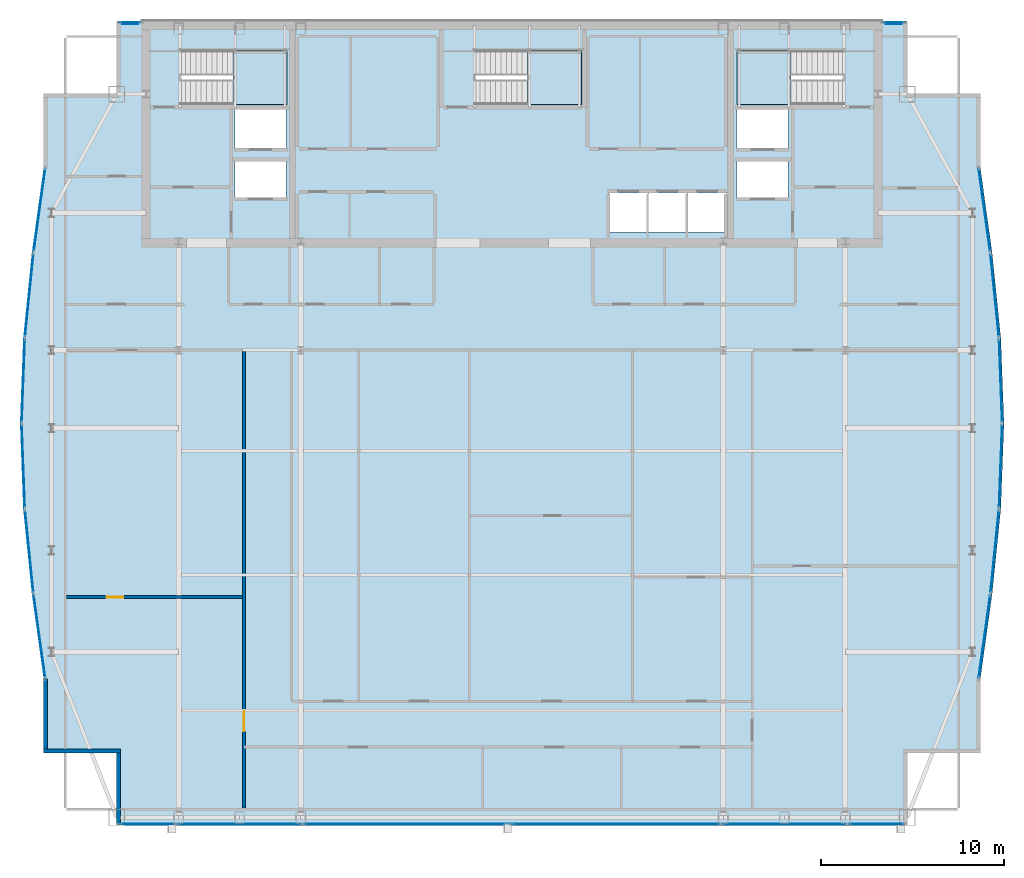
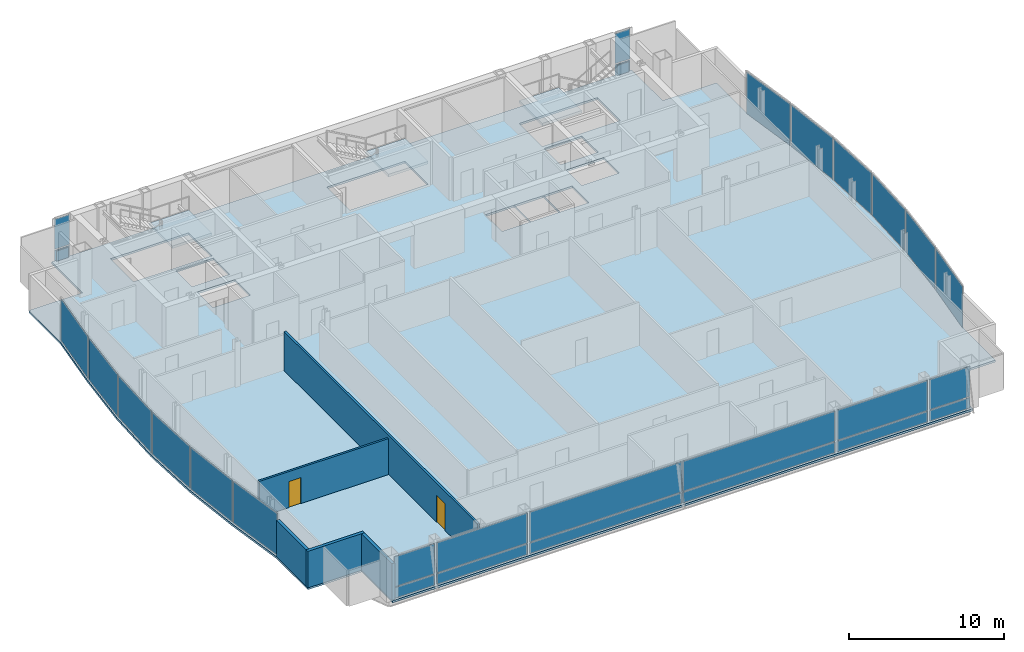
# One storey, part 20 of 26: 30 plates, 5 walls, 4 slabs, 2 doors, 2 openings, 22 elements without a shape of their own.
"""IFC4 building model written with IfcOpenShell, lengths in metres."""

from ifc_helpers import new_model, si_unit, direction, frame, frame_2d, origin, origin_2d, place, context, subcontext, project, spatial, polyline, rectangle, outline, extrude, material, layer, layer_set, type_object, element, fill, aggregate, save


model = new_model("IFC4")

# Units and contexts
model_context = context("Model", 3, precision=1e-05, world=origin(), true_north=direction((0.0, 1.0)))
body_context = subcontext(model_context, "Body", "Model", "MODEL_VIEW")
ifc_project = project(units=[si_unit("LENGTHUNIT", "METRE"), si_unit("AREAUNIT", "SQUARE_METRE"), si_unit("VOLUMEUNIT", "CUBIC_METRE"), si_unit("PLANEANGLEUNIT", "RADIAN"), si_unit("MASSUNIT", "GRAM", prefix="KILO")], contexts=[model_context])

# Site, building, storey
site_placement = place(None, origin())
site = spatial("IfcSite", under=ifc_project, at=site_placement, CompositionType="ELEMENT")
building_placement = place(site_placement, origin())
building = spatial("IfcBuilding", under=site, at=building_placement, Name="Khoronbel Lancet Exchange", CompositionType="ELEMENT")
storey_placement = place(building_placement, frame((0.0, 0.0, 339.800048828125)))
storey = spatial("IfcBuildingStorey", under=building, at=storey_placement, Name="L88", CompositionType="ELEMENT", Elevation=339.800048828125)

# Curtain wall, plate
ifc_material_1 = material(Name="Low-E Solar Control Insulating Glass", Category="glass")
curtain_wall_type_1 = type_object("IfcCurtainWallType", Name="CW-4", PredefinedType="NOTDEFINED", material=ifc_material_1)
curtain_wall_1_placement = place(storey_placement, origin())
curtain_wall_1 = element("IfcCurtainWall", 1, at=curtain_wall_1_placement, inside=storey, type_object=curtain_wall_type_1, Name="Unitised curtain wall CW-L88-E05", PredefinedType="NOTDEFINED")
ifc_material_2 = material(Name="Bronze-Anodised Aluminium 6063-T6", Category="aluminium")
ifc_layer_1 = layer(ifc_material_2, 0.050048828125, Name="Bronze-Anodised Aluminium 6063-T6")
ifc_layer_set_1 = layer_set([ifc_layer_1], Name="Bronze-Anodised Aluminium 6063-T6")
plate_type_1 = type_object("IfcPlateType", Name="PLT-CSP1", PredefinedType="SHEET", material=ifc_layer_set_1)
plate_1_placement = place(storey_placement, frame((10.05322265625, 24.70849609375, 0.0849609375), z_axis=(0.0, 0.0, 1.0), x_axis=(-0.101278350024, 0.994858128487, 0.0)))
plate_1 = element("IfcPlate", 2, at=plate_1_placement, type_object=plate_type_1, Name="CW4 panel 1.1", PredefinedType="CURTAIN_PANEL", context=body_context, shape_type="SweptSolid", body=[
    extrude(rectangle(XDim=4.5361328125, YDim=0.0380859375, at=origin_2d()), origin(), (0.0, 0.0, 1.0), 3.27001953125),
])
aggregate(curtain_wall_1, [plate_1])

curtain_wall_2_placement = place(storey_placement, origin())
curtain_wall_2 = element("IfcCurtainWall", 3, at=curtain_wall_2_placement, inside=storey, type_object=curtain_wall_type_1, Name="Unitised curtain wall CW-L88-E06", PredefinedType="NOTDEFINED")
plate_2_placement = place(storey_placement, frame((9.729248046875, 29.36962890625, 0.0849609375), z_axis=(0.0, 0.0, 1.0), x_axis=(-0.037201994942, 0.999307766192, 0.0)))
plate_2 = element("IfcPlate", 4, at=plate_2_placement, type_object=plate_type_1, Name="CW4 panel 1.1", PredefinedType="CURTAIN_PANEL", context=body_context, shape_type="SweptSolid", body=[
    extrude(rectangle(XDim=4.513671875, YDim=0.0380859375, at=origin_2d()), origin(), (0.0, 0.0, 1.0), 3.27001953125),
])
aggregate(curtain_wall_2, [plate_2])

curtain_wall_3_placement = place(storey_placement, origin())
curtain_wall_3 = element("IfcCurtainWall", 5, at=curtain_wall_3_placement, inside=storey, type_object=curtain_wall_type_1, Name="Unitised curtain wall CW-L88-E07", PredefinedType="NOTDEFINED")
plate_3_placement = place(storey_placement, frame((9.729248046875, 34.0302734375, 0.0849609375), z_axis=(0.0, 0.0, 1.0), x_axis=(0.037201994942, 0.999307766192, 0.0)))
plate_3 = element("IfcPlate", 6, at=plate_3_placement, type_object=plate_type_1, Name="CW4 panel 1.1", PredefinedType="CURTAIN_PANEL", context=body_context, shape_type="SweptSolid", body=[
    extrude(rectangle(XDim=4.513671875, YDim=0.0380859375, at=origin_2d()), origin(), (0.0, 0.0, 1.0), 3.27001953125),
])
aggregate(curtain_wall_3, [plate_3])

curtain_wall_4_placement = place(storey_placement, origin())
curtain_wall_4 = element("IfcCurtainWall", 7, at=curtain_wall_4_placement, inside=storey, type_object=curtain_wall_type_1, Name="Unitised curtain wall CW-L88-E08", PredefinedType="NOTDEFINED")
plate_4_placement = place(storey_placement, frame((10.05322265625, 38.69140625, 0.0849609375), z_axis=(0.0, 0.0, 1.0), x_axis=(0.101278350024, 0.994858128487, 0.0)))
plate_4 = element("IfcPlate", 8, at=plate_4_placement, type_object=plate_type_1, Name="CW4 panel 1.1", PredefinedType="CURTAIN_PANEL", context=body_context, shape_type="SweptSolid", body=[
    extrude(rectangle(XDim=4.5361328125, YDim=0.0380859375, at=origin_2d()), origin(), (0.0, 0.0, 1.0), 3.27001953125),
])
aggregate(curtain_wall_4, [plate_4])

curtain_wall_type_2 = type_object("IfcCurtainWallType", Name="CW-3", PredefinedType="NOTDEFINED", material=ifc_material_1)
curtain_wall_5_placement = place(storey_placement, origin())
curtain_wall_5 = element("IfcCurtainWall", 9, at=curtain_wall_5_placement, inside=storey, type_object=curtain_wall_type_2, Name="Unitised curtain wall CW-L88-NWFLK", PredefinedType="NOTDEFINED")
plate_5_placement = place(storey_placement, frame((15.580078125, 53.550048828125, 0.0498046875), z_axis=(0.0, 0.0, 1.0), x_axis=(-1.0, 0.0, 0.0)))
plate_5 = element("IfcPlate", 10, at=plate_5_placement, type_object=plate_type_1, Name="Insulated bronze spandrel cassette CW-L88-NWFLK", PredefinedType="SHEET", context=body_context, shape_type="SweptSolid", body=[
    extrude(rectangle(XDim=0.89599609375, YDim=0.050048828125, at=origin_2d()), origin(), (0.0, 0.0, 1.0), 0.800048828125),
])

curtain_wall_6_placement = place(storey_placement, origin())
curtain_wall_6 = element("IfcCurtainWall", 11, at=curtain_wall_6_placement, inside=storey, type_object=curtain_wall_type_2, Name="Unitised curtain wall CW-L88-NEFLK", PredefinedType="NOTDEFINED")
plate_6_placement = place(storey_placement, frame((57.320068359375, 53.550048828125, 0.0498046875), z_axis=(0.0, 0.0, 1.0), x_axis=(-1.0, 0.0, 0.0)))
plate_6 = element("IfcPlate", 12, at=plate_6_placement, type_object=plate_type_1, Name="Insulated bronze spandrel cassette CW-L88-NEFLK", PredefinedType="SHEET", context=body_context, shape_type="SweptSolid", body=[
    extrude(rectangle(XDim=0.89599609375, YDim=0.050048828125, at=origin_2d()), origin(), (0.0, 0.0, 1.0), 0.800048828125),
])

curtain_wall_7_placement = place(storey_placement, origin())
curtain_wall_7 = element("IfcCurtainWall", 13, at=curtain_wall_7_placement, inside=storey, type_object=curtain_wall_type_1, Name="Unitised curtain wall CW-L88-E18", PredefinedType="NOTDEFINED")
plate_7_placement = place(storey_placement, frame((62.8466796875, 38.69140625, 0.0849609375), z_axis=(0.0, 0.0, 1.0), x_axis=(0.101278350024, -0.994858128487, 0.0)))
plate_7 = element("IfcPlate", 14, at=plate_7_placement, type_object=plate_type_1, Name="CW4 panel 1.1", PredefinedType="CURTAIN_PANEL", context=body_context, shape_type="SweptSolid", body=[
    extrude(rectangle(XDim=4.5361328125, YDim=0.0380859375, at=origin_2d()), origin(), (0.0, 0.0, 1.0), 3.27001953125),
])
aggregate(curtain_wall_7, [plate_7])

curtain_wall_8_placement = place(storey_placement, origin())
curtain_wall_8 = element("IfcCurtainWall", 15, at=curtain_wall_8_placement, inside=storey, type_object=curtain_wall_type_1, Name="Unitised curtain wall CW-L88-E19", PredefinedType="NOTDEFINED")
plate_8_placement = place(storey_placement, frame((63.170654296875, 34.0302734375, 0.0849609375), z_axis=(0.0, 0.0, 1.0), x_axis=(0.037201994942, -0.999307766192, 0.0)))
plate_8 = element("IfcPlate", 16, at=plate_8_placement, type_object=plate_type_1, Name="CW4 panel 1.1", PredefinedType="CURTAIN_PANEL", context=body_context, shape_type="SweptSolid", body=[
    extrude(rectangle(XDim=4.513671875, YDim=0.0380859375, at=origin_2d()), origin(), (0.0, 0.0, 1.0), 3.27001953125),
])
aggregate(curtain_wall_8, [plate_8])

curtain_wall_9_placement = place(storey_placement, origin())
curtain_wall_9 = element("IfcCurtainWall", 17, at=curtain_wall_9_placement, inside=storey, type_object=curtain_wall_type_1, Name="Unitised curtain wall CW-L88-E20", PredefinedType="NOTDEFINED")
plate_9_placement = place(storey_placement, frame((63.170654296875, 29.36962890625, 0.0849609375), z_axis=(0.0, 0.0, 1.0), x_axis=(-0.037201994942, -0.999307766192, 0.0)))
plate_9 = element("IfcPlate", 18, at=plate_9_placement, type_object=plate_type_1, Name="CW4 panel 1.1", PredefinedType="CURTAIN_PANEL", context=body_context, shape_type="SweptSolid", body=[
    extrude(rectangle(XDim=4.513671875, YDim=0.0380859375, at=origin_2d()), origin(), (0.0, 0.0, 1.0), 3.27001953125),
])
aggregate(curtain_wall_9, [plate_9])

curtain_wall_10_placement = place(storey_placement, origin())
curtain_wall_10 = element("IfcCurtainWall", 19, at=curtain_wall_10_placement, inside=storey, type_object=curtain_wall_type_1, Name="Unitised curtain wall CW-L88-E21", PredefinedType="NOTDEFINED")
plate_10_placement = place(storey_placement, frame((62.8466796875, 24.70849609375, 0.0849609375), z_axis=(0.0, 0.0, 1.0), x_axis=(-0.101278350024, -0.994858128487, 0.0)))
plate_10 = element("IfcPlate", 20, at=plate_10_placement, type_object=plate_type_1, Name="CW4 panel 1.1", PredefinedType="CURTAIN_PANEL", context=body_context, shape_type="SweptSolid", body=[
    extrude(rectangle(XDim=4.5361328125, YDim=0.0380859375, at=origin_2d()), origin(), (0.0, 0.0, 1.0), 3.27001953125),
])
aggregate(curtain_wall_10, [plate_10])

# Curtain wall, plates
curtain_wall_11_placement = place(storey_placement, origin())
curtain_wall_11 = element("IfcCurtainWall", 21, at=curtain_wall_11_placement, inside=storey, type_object=curtain_wall_type_2, Name="Unitised curtain wall CW-L88-SWB", PredefinedType="NOTDEFINED")
plate_11_placement = place(storey_placement, frame((21.550048828125, 9.7900390625, 0.0849609375), z_axis=(0.0, 0.0, 1.0), x_axis=(1.0, 0.0, 0.0)))
plate_11 = element("IfcPlate", 22, at=plate_11_placement, type_object=plate_type_1, Name="CW3 panel 1.1", PredefinedType="CURTAIN_PANEL", context=body_context, shape_type="SweptSolid", body=[
    extrude(rectangle(XDim=6.72998046875, YDim=0.0380859375, at=origin_2d()), origin(), (0.0, 0.0, 1.0), 0.822509765625),
])
plate_12_placement = place(storey_placement, frame((21.550048828125, 9.7900390625, 0.9921875), z_axis=(0.0, 0.0, 1.0), x_axis=(1.0, 0.0, 0.0)))
plate_12 = element("IfcPlate", 23, at=plate_12_placement, type_object=plate_type_1, Name="CW3 panel 1.2", PredefinedType="CURTAIN_PANEL", context=body_context, shape_type="SweptSolid", body=[
    extrude(rectangle(XDim=6.72998046875, YDim=0.0380859375, at=origin_2d()), origin(), (0.0, 0.0, 1.0), 2.362548828125),
])
aggregate(curtain_wall_11, [plate_11, plate_12])

curtain_wall_12_placement = place(storey_placement, origin())
curtain_wall_12 = element("IfcCurtainWall", 24, at=curtain_wall_12_placement, inside=storey, type_object=curtain_wall_type_2, Name="Unitised curtain wall CW-L88-SEB", PredefinedType="NOTDEFINED")
plate_13_placement = place(storey_placement, frame((51.35009765625, 9.7900390625, 0.0849609375), z_axis=(0.0, 0.0, 1.0), x_axis=(1.0, 0.0, 0.0)))
plate_13 = element("IfcPlate", 25, at=plate_13_placement, type_object=plate_type_1, Name="CW3 panel 1.1", PredefinedType="CURTAIN_PANEL", context=body_context, shape_type="SweptSolid", body=[
    extrude(rectangle(XDim=6.72998046875, YDim=0.0380859375, at=origin_2d()), origin(), (0.0, 0.0, 1.0), 0.822509765625),
])
plate_14_placement = place(storey_placement, frame((51.35009765625, 9.7900390625, 0.9921875), z_axis=(0.0, 0.0, 1.0), x_axis=(1.0, 0.0, 0.0)))
plate_14 = element("IfcPlate", 26, at=plate_14_placement, type_object=plate_type_1, Name="CW3 panel 1.2", PredefinedType="CURTAIN_PANEL", context=body_context, shape_type="SweptSolid", body=[
    extrude(rectangle(XDim=6.72998046875, YDim=0.0380859375, at=origin_2d()), origin(), (0.0, 0.0, 1.0), 2.362548828125),
])
aggregate(curtain_wall_12, [plate_13, plate_14])

# Plate
ifc_layer_2 = layer(ifc_material_1, 0.035888671875, Name="Low-E Solar Control Insulating Glass")
ifc_layer_set_2 = layer_set([ifc_layer_2], Name="Low-E Solar Control Insulating Glass")
plate_type_2 = type_object("IfcPlateType", Name="PLT-CWP1", PredefinedType="CURTAIN_PANEL", material=ifc_layer_set_2)
plate_15_placement = place(storey_placement, frame((15.580078125, 53.610107421875, 0.0849609375), z_axis=(0.0, 0.0, 1.0), x_axis=(-1.0, 0.0, 0.0)))
plate_15 = element("IfcPlate", 27, at=plate_15_placement, type_object=plate_type_2, Name="CW3 panel 1.1", PredefinedType="CURTAIN_PANEL", context=body_context, shape_type="SweptSolid", body=[
    extrude(rectangle(XDim=1.110107421875, YDim=0.0380859375, at=origin_2d()), origin(), (0.0, 0.0, 1.0), 0.822509765625),
])

plate_16_placement = place(storey_placement, frame((15.580078125, 53.610107421875, 0.9921875), z_axis=(0.0, 0.0, 1.0), x_axis=(-1.0, 0.0, 0.0)))
plate_16 = element("IfcPlate", 28, at=plate_16_placement, type_object=plate_type_2, Name="CW3 panel 1.2", PredefinedType="CURTAIN_PANEL", context=body_context, shape_type="SweptSolid", body=[
    extrude(rectangle(XDim=1.110107421875, YDim=0.0380859375, at=origin_2d()), origin(), (0.0, 0.0, 1.0), 2.362548828125),
])

aggregate(curtain_wall_5, [plate_15, plate_16, plate_5])

plate_17_placement = place(storey_placement, frame((57.320068359375, 53.610107421875, 0.0849609375), z_axis=(0.0, 0.0, 1.0), x_axis=(-1.0, 0.0, 0.0)))
plate_17 = element("IfcPlate", 29, at=plate_17_placement, type_object=plate_type_2, Name="CW3 panel 1.1", PredefinedType="CURTAIN_PANEL", context=body_context, shape_type="SweptSolid", body=[
    extrude(rectangle(XDim=1.110107421875, YDim=0.0380859375, at=origin_2d()), origin(), (0.0, 0.0, 1.0), 0.822509765625),
])

plate_18_placement = place(storey_placement, frame((57.320068359375, 53.610107421875, 0.9921875), z_axis=(0.0, 0.0, 1.0), x_axis=(-1.0, 0.0, 0.0)))
plate_18 = element("IfcPlate", 30, at=plate_18_placement, type_object=plate_type_2, Name="CW3 panel 1.2", PredefinedType="CURTAIN_PANEL", context=body_context, shape_type="SweptSolid", body=[
    extrude(rectangle(XDim=1.110107421875, YDim=0.0380859375, at=origin_2d()), origin(), (0.0, 0.0, 1.0), 2.362548828125),
])

aggregate(curtain_wall_6, [plate_17, plate_18, plate_6])

# Curtain wall, plates
curtain_wall_13_placement = place(storey_placement, origin())
curtain_wall_13 = element("IfcCurtainWall", 31, at=curtain_wall_13_placement, inside=storey, type_object=curtain_wall_type_2, Name="Unitised curtain wall CW-L88-SWV", PredefinedType="NOTDEFINED")
plate_19_placement = place(storey_placement, frame((16.52001953125, 9.7900390625, 0.0849609375), z_axis=(0.0, 0.0, 1.0), x_axis=(1.0, 0.0, 0.0)))
plate_19 = element("IfcPlate", 32, at=plate_19_placement, type_object=plate_type_2, Name="CW3 panel 1.1", PredefinedType="CURTAIN_PANEL", context=body_context, shape_type="SweptSolid", body=[
    extrude(rectangle(XDim=2.989990234375, YDim=0.0380859375, at=origin_2d()), origin(), (0.0, 0.0, 1.0), 0.822509765625),
])
plate_20_placement = place(storey_placement, frame((16.52001953125, 9.7900390625, 0.9921875), z_axis=(0.0, 0.0, 1.0), x_axis=(1.0, 0.0, 0.0)))
plate_20 = element("IfcPlate", 33, at=plate_20_placement, type_object=plate_type_2, Name="CW3 panel 1.2", PredefinedType="CURTAIN_PANEL", context=body_context, shape_type="SweptSolid", body=[
    extrude(rectangle(XDim=2.989990234375, YDim=0.0380859375, at=origin_2d()), origin(), (0.0, 0.0, 1.0), 2.362548828125),
])
aggregate(curtain_wall_13, [plate_19, plate_20])

curtain_wall_14_placement = place(storey_placement, origin())
curtain_wall_14 = element("IfcCurtainWall", 34, at=curtain_wall_14_placement, inside=storey, type_object=curtain_wall_type_2, Name="Unitised curtain wall CW-L88-SCV", PredefinedType="NOTDEFINED")
plate_21_placement = place(storey_placement, frame((30.746337890625, 9.7900390625, 0.0849609375), z_axis=(0.0, 0.0, 1.0), x_axis=(1.0, 0.0, 0.0)))
plate_21 = element("IfcPlate", 35, at=plate_21_placement, type_object=plate_type_2, Name="CW3 panel 1.1", PredefinedType="CURTAIN_PANEL", context=body_context, shape_type="SweptSolid", body=[
    extrude(rectangle(XDim=11.322509765625, YDim=0.0380859375, at=origin_2d()), origin(), (0.0, 0.0, 1.0), 0.822509765625),
])
plate_22_placement = place(storey_placement, frame((30.746337890625, 9.7900390625, 0.9921875), z_axis=(0.0, 0.0, 1.0), x_axis=(1.0, 0.0, 0.0)))
plate_22 = element("IfcPlate", 36, at=plate_22_placement, type_object=plate_type_2, Name="CW3 panel 1.2", PredefinedType="CURTAIN_PANEL", context=body_context, shape_type="SweptSolid", body=[
    extrude(rectangle(XDim=11.322509765625, YDim=0.0380859375, at=origin_2d()), origin(), (0.0, 0.0, 1.0), 2.362548828125),
])
plate_23_placement = place(storey_placement, frame((42.15380859375, 9.7900390625, 0.0849609375), z_axis=(0.0, 0.0, 1.0), x_axis=(1.0, 0.0, 0.0)))
plate_23 = element("IfcPlate", 37, at=plate_23_placement, type_object=plate_type_2, Name="CW3 panel 2.1", PredefinedType="CURTAIN_PANEL", context=body_context, shape_type="SweptSolid", body=[
    extrude(rectangle(XDim=11.322509765625, YDim=0.0380859375, at=origin_2d()), origin(), (0.0, 0.0, 1.0), 0.822509765625),
])
plate_24_placement = place(storey_placement, frame((42.15380859375, 9.7900390625, 0.9921875), z_axis=(0.0, 0.0, 1.0), x_axis=(1.0, 0.0, 0.0)))
plate_24 = element("IfcPlate", 38, at=plate_24_placement, type_object=plate_type_2, Name="CW3 panel 2.2", PredefinedType="CURTAIN_PANEL", context=body_context, shape_type="SweptSolid", body=[
    extrude(rectangle(XDim=11.322509765625, YDim=0.0380859375, at=origin_2d()), origin(), (0.0, 0.0, 1.0), 2.362548828125),
])
aggregate(curtain_wall_14, [plate_21, plate_22, plate_23, plate_24])

curtain_wall_15_placement = place(storey_placement, origin())
curtain_wall_15 = element("IfcCurtainWall", 39, at=curtain_wall_15_placement, inside=storey, type_object=curtain_wall_type_2, Name="Unitised curtain wall CW-L88-SEV", PredefinedType="NOTDEFINED")
plate_25_placement = place(storey_placement, frame((56.3798828125, 9.7900390625, 0.0849609375), z_axis=(0.0, 0.0, 1.0), x_axis=(1.0, 0.0, 0.0)))
plate_25 = element("IfcPlate", 40, at=plate_25_placement, type_object=plate_type_2, Name="CW3 panel 1.1", PredefinedType="CURTAIN_PANEL", context=body_context, shape_type="SweptSolid", body=[
    extrude(rectangle(XDim=2.989990234375, YDim=0.0380859375, at=origin_2d()), origin(), (0.0, 0.0, 1.0), 0.822509765625),
])
plate_26_placement = place(storey_placement, frame((56.3798828125, 9.7900390625, 0.9921875), z_axis=(0.0, 0.0, 1.0), x_axis=(1.0, 0.0, 0.0)))
plate_26 = element("IfcPlate", 41, at=plate_26_placement, type_object=plate_type_2, Name="CW3 panel 1.2", PredefinedType="CURTAIN_PANEL", context=body_context, shape_type="SweptSolid", body=[
    extrude(rectangle(XDim=2.989990234375, YDim=0.0380859375, at=origin_2d()), origin(), (0.0, 0.0, 1.0), 2.362548828125),
])
aggregate(curtain_wall_15, [plate_25, plate_26])

# Curtain wall, plate
curtain_wall_16_placement = place(storey_placement, origin())
curtain_wall_16 = element("IfcCurtainWall", 42, at=curtain_wall_16_placement, inside=storey, type_object=curtain_wall_type_1, Name="Unitised curtain wall CW-L88-E04", PredefinedType="NOTDEFINED")
ifc_material_3 = material(Name="Ceramic-Fritted Laminated Insulating Glass", Category="glass")
ifc_layer_3 = layer(ifc_material_3, 0.0419921875, Name="Ceramic-Fritted Laminated Insulating Glass")
ifc_layer_set_3 = layer_set([ifc_layer_3], Name="Ceramic-Fritted Laminated Insulating Glass")
plate_type_3 = type_object("IfcPlateType", Name="PLT-CWP2", PredefinedType="CURTAIN_PANEL", material=ifc_layer_set_3)
plate_27_placement = place(storey_placement, frame((10.615234375, 20.041748046875, 0.0849609375), z_axis=(0.0, 0.0, 1.0), x_axis=(-0.137694916451, 0.990474689219, 0.0)))
plate_27 = element("IfcPlate", 43, at=plate_27_placement, type_object=plate_type_3, Name="CW4 panel 1.1", PredefinedType="CURTAIN_PANEL", context=body_context, shape_type="SweptSolid", body=[
    extrude(rectangle(XDim=4.566162109375, YDim=0.0380859375, at=origin_2d()), origin(), (0.0, 0.0, 1.0), 3.27001953125),
])
aggregate(curtain_wall_16, [plate_27])

curtain_wall_17_placement = place(storey_placement, origin())
curtain_wall_17 = element("IfcCurtainWall", 44, at=curtain_wall_17_placement, inside=storey, type_object=curtain_wall_type_1, Name="Unitised curtain wall CW-L88-E09", PredefinedType="NOTDEFINED")
plate_28_placement = place(storey_placement, frame((10.615234375, 43.358154296875, 0.0849609375), z_axis=(0.0, 0.0, 1.0), x_axis=(0.137694916451, 0.990474689219, 0.0)))
plate_28 = element("IfcPlate", 45, at=plate_28_placement, type_object=plate_type_3, Name="CW4 panel 1.1", PredefinedType="CURTAIN_PANEL", context=body_context, shape_type="SweptSolid", body=[
    extrude(rectangle(XDim=4.566162109375, YDim=0.0380859375, at=origin_2d()), origin(), (0.0, 0.0, 1.0), 3.27001953125),
])
aggregate(curtain_wall_17, [plate_28])

curtain_wall_18_placement = place(storey_placement, origin())
curtain_wall_18 = element("IfcCurtainWall", 46, at=curtain_wall_18_placement, inside=storey, type_object=curtain_wall_type_1, Name="Unitised curtain wall CW-L88-E17", PredefinedType="NOTDEFINED")
plate_29_placement = place(storey_placement, frame((62.28466796875, 43.358154296875, 0.0849609375), z_axis=(0.0, 0.0, 1.0), x_axis=(0.137694916451, -0.990474689219, 0.0)))
plate_29 = element("IfcPlate", 47, at=plate_29_placement, type_object=plate_type_3, Name="CW4 panel 1.1", PredefinedType="CURTAIN_PANEL", context=body_context, shape_type="SweptSolid", body=[
    extrude(rectangle(XDim=4.566162109375, YDim=0.0380859375, at=origin_2d()), origin(), (0.0, 0.0, 1.0), 3.27001953125),
])
aggregate(curtain_wall_18, [plate_29])

curtain_wall_19_placement = place(storey_placement, origin())
curtain_wall_19 = element("IfcCurtainWall", 48, at=curtain_wall_19_placement, inside=storey, type_object=curtain_wall_type_1, Name="Unitised curtain wall CW-L88-E22", PredefinedType="NOTDEFINED")
plate_30_placement = place(storey_placement, frame((62.28466796875, 20.041748046875, 0.0849609375), z_axis=(0.0, 0.0, 1.0), x_axis=(-0.137694916451, -0.990474689219, 0.0)))
plate_30 = element("IfcPlate", 49, at=plate_30_placement, type_object=plate_type_3, Name="CW4 panel 1.1", PredefinedType="CURTAIN_PANEL", context=body_context, shape_type="SweptSolid", body=[
    extrude(rectangle(XDim=4.566162109375, YDim=0.0380859375, at=origin_2d()), origin(), (0.0, 0.0, 1.0), 3.27001953125),
])
aggregate(curtain_wall_19, [plate_30])

# Slab
ifc_material_4 = material(Name="Concrete C40/50", Category="concrete")
ifc_layer_4 = layer(ifc_material_4, 0.159912109375, Name="Concrete C40/50")
ifc_layer_set_4 = layer_set([ifc_layer_4], Name="Concrete C40/50")
slab_type_1 = type_object("IfcSlabType", Name="SL-FL160", PredefinedType="FLOOR", material=ifc_layer_set_4)
slab_1_placement = place(storey_placement, frame((0.0, 0.0, -0.16015625)))
element("IfcSlab", 50, at=slab_1_placement, inside=storey, type_object=slab_type_1, Name="Level L88 composite structural floor slab", PredefinedType="FLOOR", context=body_context, shape_type="SweptSolid", body=[
    extrude(outline(polyline([(14.85009765625, 9.699951171875), (58.050048828125, 9.699951171875), (58.050048828125, 13.699951171875), (62.050048828125, 13.699951171875), (62.050048828125, 17.699951171875), (62.69873046875, 22.36669921875), (63.173828125, 27.033203125), (63.34765625, 31.699951171875), (63.173828125, 36.36669921875), (62.69873046875, 41.033203125), (62.050048828125, 45.699951171875), (62.050048828125, 49.699951171875), (58.050048828125, 49.699951171875), (58.050048828125, 53.699951171875), (14.85009765625, 53.699951171875), (14.85009765625, 49.699951171875), (10.85009765625, 49.699951171875), (10.85009765625, 45.699951171875), (10.201171875, 41.033203125), (9.726318359375, 36.36669921875), (9.552490234375, 31.699951171875), (9.726318359375, 27.033203125), (10.201171875, 22.36669921875), (10.85009765625, 17.699951171875), (10.85009765625, 13.699951171875), (14.85009765625, 13.699951171875), (14.85009765625, 9.699951171875)]), holes=[polyline([(18.324951171875, 49.1201171875), (24.14990234375, 49.1201171875), (24.14990234375, 52.10009765625), (18.324951171875, 52.10009765625), (18.324951171875, 49.1201171875)]), polyline([(48.75, 49.1201171875), (54.574951171875, 49.1201171875), (54.574951171875, 52.10009765625), (48.75, 52.10009765625), (48.75, 49.1201171875)]), polyline([(34.425048828125, 49.1201171875), (40.25, 49.1201171875), (40.25, 52.10009765625), (34.425048828125, 52.10009765625), (34.425048828125, 49.1201171875)]), polyline([(41.739990234375, 42.14990234375), (43.8798828125, 42.14990234375), (43.8798828125, 44.300048828125), (41.739990234375, 44.300048828125), (41.739990234375, 42.14990234375)]), polyline([(43.89990234375, 42.14990234375), (46.0400390625, 42.14990234375), (46.0400390625, 44.300048828125), (43.89990234375, 44.300048828125), (43.89990234375, 42.14990234375)]), polyline([(46.06005859375, 42.14990234375), (48.199951171875, 42.14990234375), (48.199951171875, 44.300048828125), (46.06005859375, 44.300048828125), (46.06005859375, 42.14990234375)]), polyline([(21.300048828125, 46.75), (24.10009765625, 46.75), (24.10009765625, 48.85009765625), (21.300048828125, 48.85009765625), (21.300048828125, 46.75)]), polyline([(48.75, 46.75), (51.550048828125, 46.75), (51.550048828125, 48.85009765625), (48.75, 48.85009765625), (48.75, 46.75)]), polyline([(21.300048828125, 44.050048828125), (24.10009765625, 44.050048828125), (24.10009765625, 46.050048828125), (21.300048828125, 46.050048828125), (21.300048828125, 44.050048828125)]), polyline([(48.75, 44.050048828125), (51.550048828125, 44.050048828125), (51.550048828125, 46.050048828125), (48.75, 46.050048828125), (48.75, 44.050048828125)])]), origin(), (0.0, 0.0, 1.0), 0.16015625),
])

# Stair, slab
stair_type = type_object("IfcStairType", Name="STR-CORE150", PredefinedType="HALF_TURN_STAIR", material=ifc_material_4)
stair_1_placement = place(storey_placement, origin())
stair_1 = element("IfcStair", 51, at=stair_1_placement, inside=storey, type_object=stair_type, Name="L88 Protected Exit Stair ST1", PredefinedType="HALF_TURN_STAIR")
ifc_layer_5 = layer(ifc_material_4, 0.199951171875, Name="Concrete C40/50")
ifc_layer_set_5 = layer_set([ifc_layer_5], Name="Concrete C40/50")
slab_type_2 = type_object("IfcSlabType", Name="SL-LND180", PredefinedType="LANDING", material=ifc_layer_set_5)
slab_2_placement = place(storey_placement, frame((0.0, 0.0, 1.599853515625)))
slab_2 = element("IfcSlab", 52, at=slab_2_placement, type_object=slab_type_2, Name="ST1 landing 1", PredefinedType="LANDING", context=body_context, shape_type="SweptSolid", body=[
    extrude(outline(polyline([(21.199951171875, 49.1201171875), (24.14990234375, 49.1201171875), (24.14990234375, 52.10009765625), (21.199951171875, 52.10009765625), (21.199951171875, 49.1201171875)])), origin(), (0.0, 0.0, 1.0), 0.2001953125),
])
aggregate(stair_1, [slab_2])

stair_2_placement = place(storey_placement, origin())
stair_2 = element("IfcStair", 53, at=stair_2_placement, inside=storey, type_object=stair_type, Name="L88 Protected Exit Stair ST2", PredefinedType="HALF_TURN_STAIR")
slab_3_placement = place(storey_placement, frame((0.0, 0.0, 1.599853515625)))
slab_3 = element("IfcSlab", 54, at=slab_3_placement, type_object=slab_type_2, Name="ST2 landing 1", PredefinedType="LANDING", context=body_context, shape_type="SweptSolid", body=[
    extrude(outline(polyline([(51.699951171875, 52.10009765625), (48.75, 52.10009765625), (48.75, 49.1201171875), (51.699951171875, 49.1201171875), (51.699951171875, 52.10009765625)])), origin(), (0.0, 0.0, 1.0), 0.2001953125),
])
aggregate(stair_2, [slab_3])

stair_3_placement = place(storey_placement, origin())
stair_3 = element("IfcStair", 55, at=stair_3_placement, inside=storey, type_object=stair_type, Name="L88 Protected Exit Stair ST3", PredefinedType="HALF_TURN_STAIR")
slab_4_placement = place(storey_placement, frame((0.0, 0.0, 1.599853515625)))
slab_4 = element("IfcSlab", 56, at=slab_4_placement, type_object=slab_type_2, Name="ST3 landing 1", PredefinedType="LANDING", context=body_context, shape_type="SweptSolid", body=[
    extrude(outline(polyline([(37.300048828125, 49.1201171875), (40.25, 49.1201171875), (40.25, 52.10009765625), (37.300048828125, 52.10009765625), (37.300048828125, 49.1201171875)])), origin(), (0.0, 0.0, 1.0), 0.2001953125),
])
aggregate(stair_3, [slab_4])

# Walls
ifc_material_5 = material(Name="Precast concrete C40/50", Category="concrete")
ifc_layer_6 = layer(ifc_material_5, 0.25, Name="Precast concrete C40/50")
ifc_layer_set_6 = layer_set([ifc_layer_6], Name="Precast concrete C40/50")
wall_type_1 = type_object("IfcWallType", Name="WL-EXT250", PredefinedType="SOLIDWALL", material=ifc_layer_set_6)
wall_1_placement = place(storey_placement, frame((14.93994140625, 9.77001953125, 0.0), z_axis=(0.0, 0.0, 1.0), x_axis=(0.0, 1.0, 0.0)))
element("IfcWall", 57, at=wall_1_placement, inside=storey, type_object=wall_type_1, Name="Level L88 notched-corner limestone pier 01", PredefinedType="SOLIDWALL", context=body_context, shape_type="SweptSolid", body=[
    extrude(rectangle(XDim=3.909912109375, YDim=0.219970703125, at=frame_2d((1.955078125, 0.0))), origin(), (0.0, 0.0, 1.0), 2.8798828125),
])
wall_2_placement = place(storey_placement, frame((15.050048828125, 13.7900390625, 0.0), z_axis=(0.0, 0.0, 1.0), x_axis=(-1.0, 0.0, 0.0)))
element("IfcWall", 58, at=wall_2_placement, inside=storey, type_object=wall_type_1, Name="Level L88 notched-corner limestone pier 02", PredefinedType="SOLIDWALL", context=body_context, shape_type="SweptSolid", body=[
    extrude(rectangle(XDim=4.219970703125, YDim=0.219970703125, at=frame_2d((2.10986328125, 0.0))), origin(), (0.0, 0.0, 1.0), 2.8798828125),
])
wall_3_placement = place(storey_placement, frame((10.93994140625, 13.89990234375, 0.0), z_axis=(0.0, 0.0, 1.0), x_axis=(0.0, 1.0, 0.0)))
element("IfcWall", 59, at=wall_3_placement, inside=storey, type_object=wall_type_1, Name="Level L88 notched-corner limestone pier 03", PredefinedType="SOLIDWALL", context=body_context, shape_type="SweptSolid", body=[
    extrude(rectangle(XDim=3.826416015625, YDim=0.219970703125, at=frame_2d((1.9130859375, 0.0))), origin(), (0.0, 0.0, 1.0), 2.8798828125),
])

# Wall, opening, door
ifc_material_6 = material(Name="Acoustic Metal-Stud & Mineral-Wool Gypsum Partition 120 mm", Category="gypsum")
ifc_layer_7 = layer(ifc_material_6, 0.1201171875, Name="Acoustic Metal-Stud & Mineral-Wool Gypsum Partition 120 mm")
ifc_layer_set_7 = layer_set([ifc_layer_7], Name="Acoustic Metal-Stud & Mineral-Wool Gypsum Partition 120 mm")
wall_type_2 = type_object("IfcWallType", Name="WL-PRT120", PredefinedType="PARTITIONING", material=ifc_layer_set_7)
wall_4_placement = place(storey_placement, frame((12.094970703125, 22.199951171875, 0.0), z_axis=(0.0, 0.0, 1.0), x_axis=(1.0, 0.0, 0.0)))
wall_4 = element("IfcWall", 60, at=wall_4_placement, inside=storey, type_object=wall_type_2, Name="Level L88 interior partition PW-Z4-WH", PredefinedType="PARTITIONING", context=body_context, shape_type="SweptSolid", body=[
    extrude(rectangle(XDim=9.625, YDim=0.14990234375, at=frame_2d((4.8125, 0.0))), origin(), (0.0, 0.0, 1.0), 2.829833984375),
])
opening_1_placement = place(wall_4_placement, frame((2.199951171875, 0.0, 0.0)))
opening_1 = element("IfcOpeningElement", 61, at=opening_1_placement, cuts=wall_4, Name="Opening D5", PredefinedType="OPENING", context=body_context, shape_type="SweptSolid", body=[
    extrude(rectangle(XDim=0.89990234375, YDim=2.050048828125, at=frame_2d((0.449951171875, 1.02490234375))), frame((0.0, 0.0849609375, 0.0), z_axis=(0.0, -1.0, 0.0), x_axis=(1.0, 0.0, 0.0)), (0.0, 0.0, 1.0), 0.169921875),
])
ifc_material_7 = material(Name="Acoustic Timber Pantry & Support Door", Category="wood")
door_type_1 = type_object("IfcDoorType", Name="DR-D5", OperationType="NOTDEFINED", PredefinedType="DOOR", material=ifc_material_7)
door_1_placement = place(opening_1_placement, origin())
door_1 = element("IfcDoor", 62, at=door_1_placement, inside=storey, type_object=door_type_1, Name="West lens inner door L88-1", OperationType="SINGLE_SWING_RIGHT", OverallHeight=2.050048828125, OverallWidth=0.89990234375, PredefinedType="DOOR", context=body_context, shape_type="SweptSolid", body=[
    extrude(rectangle(XDim=0.89990234375, YDim=2.050048828125, at=frame_2d((0.449951171875, 1.02490234375))), frame((0.0, 0.02490234375, 0.0), z_axis=(0.0, -1.0, 0.0), x_axis=(1.0, 0.0, 0.0)), (0.0, 0.0, 1.0), 0.050048828125),
])
fill(opening_1, door_1)

ifc_material_8 = material(Name="Fire-Rated Twin-Stud Acoustic Gypsum Partition 150 mm", Category="gypsum")
ifc_layer_8 = layer(ifc_material_8, 0.14990234375, Name="Fire-Rated Twin-Stud Acoustic Gypsum Partition 150 mm")
ifc_layer_set_8 = layer_set([ifc_layer_8], Name="Fire-Rated Twin-Stud Acoustic Gypsum Partition 150 mm")
wall_type_3 = type_object("IfcWallType", Name="WL-PRT150C", PredefinedType="PARTITIONING", material=ifc_layer_set_8)
wall_5_placement = place(storey_placement, frame((21.800048828125, 10.6650390625, 0.0), z_axis=(0.0, 0.0, 1.0), x_axis=(0.0, 1.0, 0.0)))
wall_5 = element("IfcWall", 63, at=wall_5_placement, inside=storey, type_object=wall_type_3, Name="Level L88 interior partition PW-Z4-WW", PredefinedType="PARTITIONING", context=body_context, shape_type="SweptSolid", body=[
    extrude(rectangle(XDim=24.955078125, YDim=0.14990234375, at=frame_2d((12.4775390625, 0.0))), origin(), (0.0, 0.0, 1.0), 3.070068359375),
])
opening_2_placement = place(wall_5_placement, frame((4.199951171875, 0.0, 0.0)))
opening_2 = element("IfcOpeningElement", 64, at=opening_2_placement, cuts=wall_5, Name="Opening D6", PredefinedType="OPENING", context=body_context, shape_type="SweptSolid", body=[
    extrude(rectangle(XDim=1.10009765625, YDim=2.10009765625, at=frame_2d((0.550048828125, 1.050048828125))), frame((0.0, 0.0849609375, 0.0), z_axis=(0.0, -1.0, 0.0), x_axis=(1.0, 0.0, 0.0)), (0.0, 0.0, 1.0), 0.169921875),
])
ifc_material_9 = material(Name="Acoustic Bronze-Veneer Executive Suite Door", Category="wood")
door_type_2 = type_object("IfcDoorType", Name="DR-D6", OperationType="NOTDEFINED", PredefinedType="DOOR", material=ifc_material_9)
door_2_placement = place(opening_2_placement, origin())
door_2 = element("IfcDoor", 65, at=door_2_placement, inside=storey, type_object=door_type_2, Name="West lens presidential door L88-1", OperationType="SINGLE_SWING_RIGHT", OverallHeight=2.10009765625, OverallWidth=1.10009765625, PredefinedType="DOOR", context=body_context, shape_type="SweptSolid", body=[
    extrude(rectangle(XDim=1.10009765625, YDim=2.10009765625, at=frame_2d((0.550048828125, 1.050048828125))), frame((0.0, 0.02490234375, 0.0), z_axis=(0.0, -1.0, 0.0), x_axis=(1.0, 0.0, 0.0)), (0.0, 0.0, 1.0), 0.050048828125),
])
fill(opening_2, door_2)

save(model, "model.ifc")
